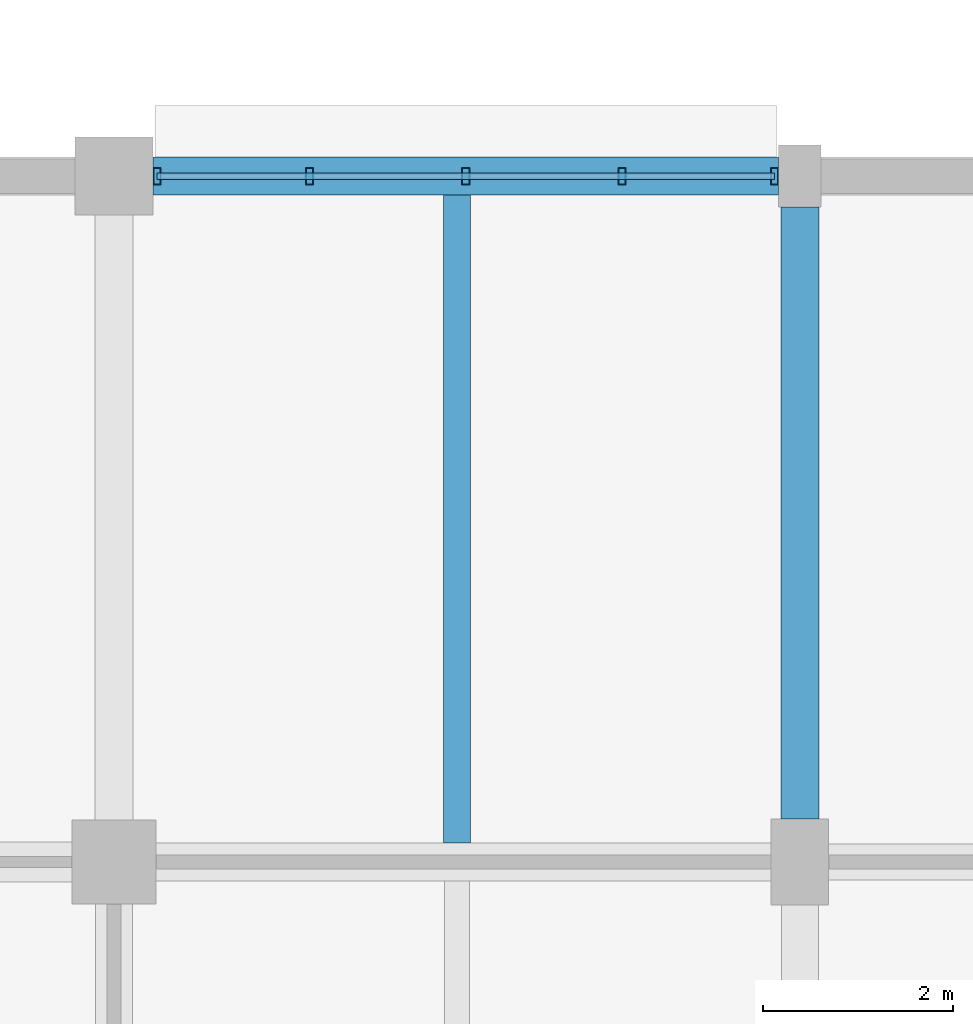
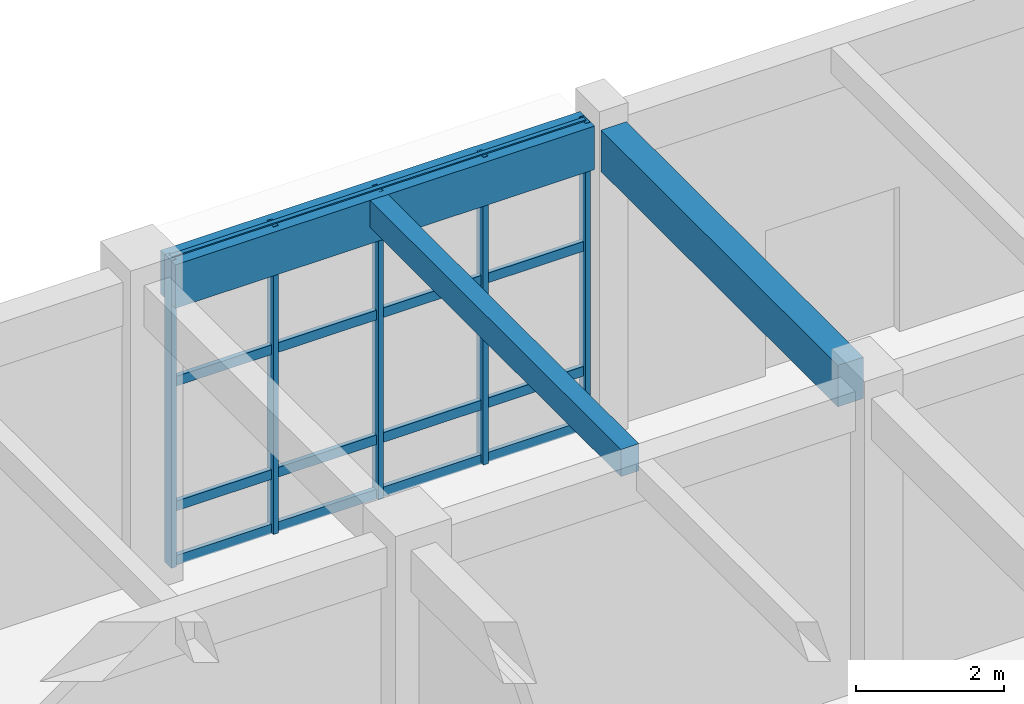
# One storey, part 67 of 160: 9 members, 3 beams, 1 element without a shape of its own.
"""IFC4 building model written with IfcOpenShell, lengths in metres."""

from ifc_helpers import new_model, si_unit, direction, frame, origin, origin_2d, place, context, subcontext, project, spatial, rectangle, hollow_rectangle, extrude, material, material_profile, profile_set, type_object, element, aggregate, save


model = new_model("IFC4")

# Units and contexts
model_context = context("Model", 3, precision=1e-05, world=origin(), true_north=direction((0.0, 1.0)))
body_context = subcontext(model_context, "Body", "Model", "MODEL_VIEW")
ifc_project = project(units=[si_unit("LENGTHUNIT", "METRE"), si_unit("AREAUNIT", "SQUARE_METRE"), si_unit("VOLUMEUNIT", "CUBIC_METRE"), si_unit("PLANEANGLEUNIT", "RADIAN"), si_unit("MASSUNIT", "GRAM", prefix="KILO")], contexts=[model_context])

# Site, building, storey
site_placement = place(None, origin())
site = spatial("IfcSite", under=ifc_project, at=site_placement, CompositionType="ELEMENT")
building_placement = place(site_placement, origin())
building = spatial("IfcBuilding", under=site, at=building_placement, Name="Thalmaran Polytechnic", CompositionType="ELEMENT")
storey_placement = place(building_placement, origin())
storey = spatial("IfcBuildingStorey", under=building, at=storey_placement, Name="L00", CompositionType="ELEMENT", Elevation=0.0)

# Beams
ifc_material_1 = material(Name="Concrete C40/50", Category="concrete")
ifc_material_profile_1 = material_profile(ifc_material_1, rectangle(XDim=0.280029296875, YDim=0.449951171875, at=origin_2d()), Name="RC 280x450")
ifc_profile_set_1 = profile_set([ifc_material_profile_1], Name="Concrete C40/50")
beam_type_1 = type_object("IfcBeamType", Name="BM-RC13", PredefinedType="JOIST", material=ifc_profile_set_1)
beam_1_placement = place(storey_placement, frame((54.0, 115.39990234375, 4.864990234375), z_axis=(0.0, 1.0, 0.0), x_axis=(-1.0, 0.0, 0.0)))
element("IfcBeam", 1, at=beam_1_placement, inside=storey, type_object=beam_type_1, Name="Secondary Floor Rib RB03 L00 (7,16)", PredefinedType="JOIST", context=body_context, shape_type="SweptSolid", body=[
    extrude(rectangle(XDim=0.280029296875, YDim=0.449951171875, at=origin_2d()), origin(), (0.0, 0.0, 1.0), 6.800048828125),
])
ifc_material_profile_2 = material_profile(ifc_material_1, rectangle(XDim=0.39990234375, YDim=0.719970703125, at=origin_2d()), Name="RC 400x720")
ifc_profile_set_2 = profile_set([ifc_material_profile_2], Name="Concrete C40/50")
beam_type_2 = type_object("IfcBeamType", Name="BM-SP01", PredefinedType="SPANDREL", material=ifc_profile_set_2)
beam_2_placement = place(storey_placement, frame((50.81005859375, 122.39990234375, 4.72998046875), z_axis=(1.0, 0.0, 0.0), x_axis=(0.0, 1.0, 0.0)))
element("IfcBeam", 2, at=beam_2_placement, inside=storey, type_object=beam_type_2, Name="Grid Beam SP01 L00 X(7,17)", PredefinedType="SPANDREL", context=body_context, shape_type="SweptSolid", body=[
    extrude(rectangle(XDim=0.39990234375, YDim=0.719970703125, at=origin_2d()), origin(), (0.0, 0.0, 1.0), 6.56494140625),
])
ifc_material_profile_3 = material_profile(ifc_material_1, rectangle(XDim=0.39990234375, YDim=0.68505859375, at=origin_2d()), Name="RC 400x685")
ifc_profile_set_3 = profile_set([ifc_material_profile_3], Name="Concrete C40/50")
beam_type_3 = type_object("IfcBeamType", Name="BM-ZB07", PredefinedType="BEAM", material=ifc_profile_set_3)
beam_3_placement = place(storey_placement, frame((57.60009765625, 115.64990234375, 4.74755859375), z_axis=(0.0, 1.0, 0.0), x_axis=(-1.0, 0.0, 0.0)))
element("IfcBeam", 3, at=beam_3_placement, inside=storey, type_object=beam_type_3, Name="Grid Beam ZB07 L00 Y(8,16)", PredefinedType="BEAM", context=body_context, shape_type="SweptSolid", body=[
    extrude(rectangle(XDim=0.39990234375, YDim=0.68505859375, at=origin_2d()), origin(), (0.0, 0.0, 1.0), 6.425048828125),
])

# Curtain wall, members
ifc_material_2 = material(Name="Aluminium 6063-T6", Category="aluminium")
curtain_wall_type = type_object("IfcCurtainWallType", Name="CW-UC01", PredefinedType="USERDEFINED", material=ifc_material_2)
curtain_wall_placement = place(storey_placement, origin())
curtain_wall = element("IfcCurtainWall", 4, at=curtain_wall_placement, inside=storey, type_object=curtain_wall_type, Name="Curtain Wall CW-L00-005", ObjectType="UNITISED CURTAIN WALL", PredefinedType="USERDEFINED")
ifc_material_profile_4 = material_profile(ifc_material_2, hollow_rectangle(XDim=0.080078125, YDim=0.179931640625, WallThickness=0.0048828125, at=origin_2d()), Name="RHS 180x80x5.0")
ifc_profile_set_4 = profile_set([ifc_material_profile_4], Name="Aluminium 6063-T6")
member_type_1 = type_object("IfcMemberType", Name="CW-MUL1", PredefinedType="MULLION", material=ifc_profile_set_4)
member_1_placement = place(storey_placement, frame((50.85009765625, 122.39990234375, 0.0), z_axis=(0.0, 0.0, 1.0), x_axis=(1.0, 0.0, 0.0)))
member_1 = element("IfcMember", 5, at=member_1_placement, type_object=member_type_1, Name="CW-L00-005 Mullion 1", PredefinedType="MULLION", context=body_context, shape_type="SweptSolid", body=[
    extrude(hollow_rectangle(XDim=0.080078125, YDim=0.179931640625, WallThickness=0.0048828125, at=origin_2d()), origin(), (0.0, 0.0, 1.0), 5.090087890625),
])
member_2_placement = place(storey_placement, frame((52.451171875, 122.39990234375, 0.0), z_axis=(0.0, 0.0, 1.0), x_axis=(1.0, 0.0, 0.0)))
member_2 = element("IfcMember", 6, at=member_2_placement, type_object=member_type_1, Name="CW-L00-005 Mullion 2", PredefinedType="MULLION", context=body_context, shape_type="SweptSolid", body=[
    extrude(hollow_rectangle(XDim=0.080078125, YDim=0.179931640625, WallThickness=0.0048828125, at=origin_2d()), origin(), (0.0, 0.0, 1.0), 5.090087890625),
])
member_3_placement = place(storey_placement, frame((54.092529296875, 122.39990234375, 0.0), z_axis=(0.0, 0.0, 1.0), x_axis=(1.0, 0.0, 0.0)))
member_3 = element("IfcMember", 7, at=member_3_placement, type_object=member_type_1, Name="CW-L00-005 Mullion 3", PredefinedType="MULLION", context=body_context, shape_type="SweptSolid", body=[
    extrude(hollow_rectangle(XDim=0.080078125, YDim=0.179931640625, WallThickness=0.0048828125, at=origin_2d()), origin(), (0.0, 0.0, 1.0), 5.090087890625),
])
member_4_placement = place(storey_placement, frame((55.733642578125, 122.39990234375, 0.0), z_axis=(0.0, 0.0, 1.0), x_axis=(1.0, 0.0, 0.0)))
member_4 = element("IfcMember", 8, at=member_4_placement, type_object=member_type_1, Name="CW-L00-005 Mullion 4", PredefinedType="MULLION", context=body_context, shape_type="SweptSolid", body=[
    extrude(hollow_rectangle(XDim=0.080078125, YDim=0.179931640625, WallThickness=0.0048828125, at=origin_2d()), origin(), (0.0, 0.0, 1.0), 5.090087890625),
])
member_5_placement = place(storey_placement, frame((57.3349609375, 122.39990234375, 0.0), z_axis=(0.0, 0.0, 1.0), x_axis=(1.0, 0.0, 0.0)))
member_5 = element("IfcMember", 9, at=member_5_placement, type_object=member_type_1, Name="CW-L00-005 Mullion 5", PredefinedType="MULLION", context=body_context, shape_type="SweptSolid", body=[
    extrude(hollow_rectangle(XDim=0.080078125, YDim=0.179931640625, WallThickness=0.0048828125, at=origin_2d()), origin(), (0.0, 0.0, 1.0), 5.090087890625),
])
ifc_material_profile_5 = material_profile(ifc_material_2, hollow_rectangle(XDim=0.070068359375, YDim=0.159912109375, WallThickness=0.00390625, at=origin_2d()), Name="AL 160x70x4.0")
ifc_profile_set_5 = profile_set([ifc_material_profile_5], Name="Aluminium 6063-T6")
member_type_2 = type_object("IfcMemberType", Name="CW-TRN1", PredefinedType="USERDEFINED", material=ifc_profile_set_5)
member_6_placement = place(storey_placement, frame((50.85009765625, 122.39990234375, 0.06005859375), z_axis=(1.0, 0.0, 0.0), x_axis=(0.0, 1.0, 0.0)))
member_6 = element("IfcMember", 10, at=member_6_placement, type_object=member_type_2, Name="CW-L00-005 Transom 1", ObjectType="TRANSOM", PredefinedType="USERDEFINED", context=body_context, shape_type="SweptSolid", body=[
    extrude(hollow_rectangle(XDim=0.070068359375, YDim=0.159912109375, WallThickness=0.00390625, at=origin_2d()), origin(), (0.0, 0.0, 1.0), 6.48486328125),
])
member_7_placement = place(storey_placement, frame((50.85009765625, 122.39990234375, 0.9599609375), z_axis=(1.0, 0.0, 0.0), x_axis=(0.0, 1.0, 0.0)))
member_7 = element("IfcMember", 11, at=member_7_placement, type_object=member_type_2, Name="CW-L00-005 Transom 2", ObjectType="TRANSOM", PredefinedType="USERDEFINED", context=body_context, shape_type="SweptSolid", body=[
    extrude(hollow_rectangle(XDim=0.070068359375, YDim=0.159912109375, WallThickness=0.00390625, at=origin_2d()), origin(), (0.0, 0.0, 1.0), 6.48486328125),
])
member_8_placement = place(storey_placement, frame((50.85009765625, 122.39990234375, 3.02490234375), z_axis=(1.0, 0.0, 0.0), x_axis=(0.0, 1.0, 0.0)))
member_8 = element("IfcMember", 12, at=member_8_placement, type_object=member_type_2, Name="CW-L00-005 Transom 3", ObjectType="TRANSOM", PredefinedType="USERDEFINED", context=body_context, shape_type="SweptSolid", body=[
    extrude(hollow_rectangle(XDim=0.070068359375, YDim=0.159912109375, WallThickness=0.00390625, at=origin_2d()), origin(), (0.0, 0.0, 1.0), 6.48486328125),
])
member_9_placement = place(storey_placement, frame((50.85009765625, 122.39990234375, 5.030029296875), z_axis=(1.0, 0.0, 0.0), x_axis=(0.0, 1.0, 0.0)))
member_9 = element("IfcMember", 13, at=member_9_placement, type_object=member_type_2, Name="CW-L00-005 Transom 4", ObjectType="TRANSOM", PredefinedType="USERDEFINED", context=body_context, shape_type="SweptSolid", body=[
    extrude(hollow_rectangle(XDim=0.070068359375, YDim=0.159912109375, WallThickness=0.00390625, at=origin_2d()), origin(), (0.0, 0.0, 1.0), 6.48486328125),
])
aggregate(curtain_wall, [member_1, member_2, member_3, member_4, member_5, member_6, member_7, member_8, member_9])

save(model, "model.ifc")
